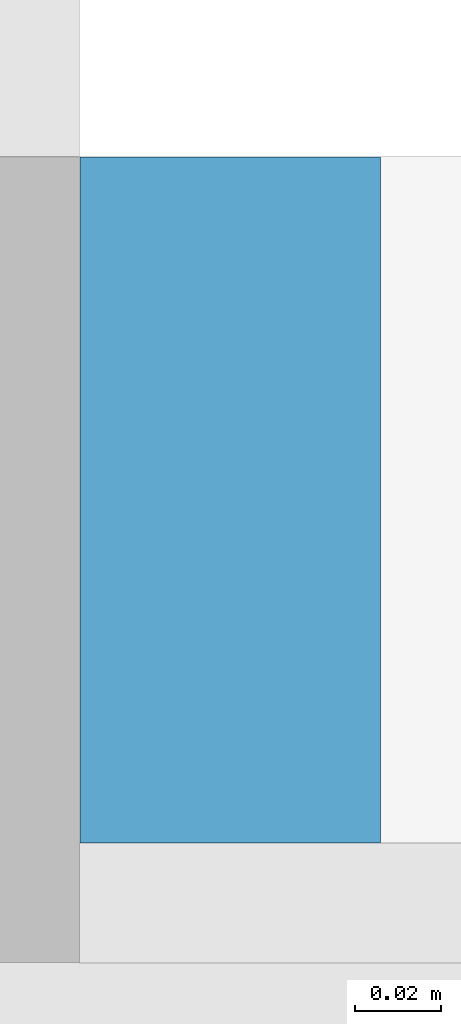
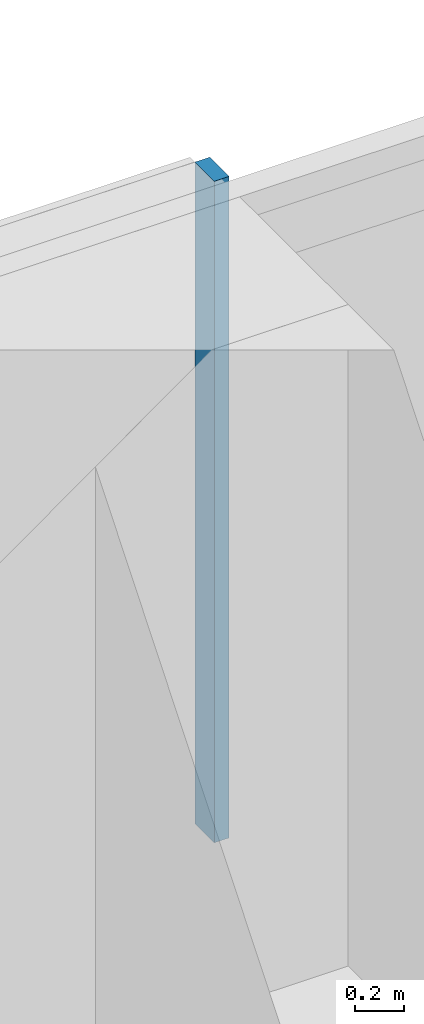
# One storey, part 9 of 27: 1 member, 1 element without a shape of its own.
"""IFC4 building model written with IfcOpenShell, lengths in metres."""

from ifc_helpers import new_model, si_unit, direction, frame, origin, origin_2d, place, context, subcontext, project, spatial, rectangle, extrude, material, material_profile, profile_set, type_object, element, aggregate, save


model = new_model("IFC4")

# Units and contexts
model_context = context("Model", 3, precision=1e-05, world=origin(), true_north=direction((0.0, 1.0)))
body_context = subcontext(model_context, "Body", "Model", "MODEL_VIEW")
ifc_project = project(units=[si_unit("LENGTHUNIT", "METRE"), si_unit("AREAUNIT", "SQUARE_METRE"), si_unit("VOLUMEUNIT", "CUBIC_METRE"), si_unit("PLANEANGLEUNIT", "RADIAN"), si_unit("MASSUNIT", "GRAM", prefix="KILO")], contexts=[model_context])

# Site, building, storey
site_placement = place(None, origin())
site = spatial("IfcSite", under=ifc_project, at=site_placement, CompositionType="ELEMENT")
building_placement = place(site_placement, origin())
building = spatial("IfcBuilding", under=site, at=building_placement, Name="Saffron Gate Tower", CompositionType="ELEMENT")
storey_placement = place(building_placement, frame((0.0, 0.0, 76.800048828125)))
storey = spatial("IfcBuildingStorey", under=building, at=storey_placement, Name="L18", CompositionType="ELEMENT", Elevation=76.800048828125)

# Curtain wall, member
ifc_material = material(Name="Aluminium, bronze anodised", Category="aluminium")
curtain_wall_type = type_object("IfcCurtainWallType", Name="CWS3 curtain wall rear facade", PredefinedType="NOTDEFINED", material=ifc_material)
curtain_wall_placement = place(storey_placement, origin())
curtain_wall = element("IfcCurtainWall", 1, at=curtain_wall_placement, inside=storey, type_object=curtain_wall_type, Name="CWS3 run 7", PredefinedType="NOTDEFINED")
ifc_material_profile = material_profile(ifc_material, rectangle(XDim=0.159912109375, YDim=0.070068359375, at=origin_2d()))
ifc_profile_set = profile_set([ifc_material_profile], Name="Aluminium, bronze anodised")
member_type = type_object("IfcMemberType", Name="CWS3 mullion 70x160", PredefinedType="MULLION", material=ifc_profile_set)
member_placement = place(storey_placement, frame((108.60009765625, 75.52001953125, 0.0), z_axis=(0.0, 0.0, 1.0), x_axis=(0.0, -1.0, 0.0)))
member = element("IfcMember", 2, at=member_placement, type_object=member_type, Name="CWS3 mullion 3", PredefinedType="MULLION", context=body_context, shape_type="SweptSolid", body=[
    extrude(rectangle(XDim=0.159912109375, YDim=0.070068359375, at=origin_2d()), origin(), (0.0, 0.0, 1.0), 3.320068359375),
])
aggregate(curtain_wall, [member])

save(model, "model.ifc")
